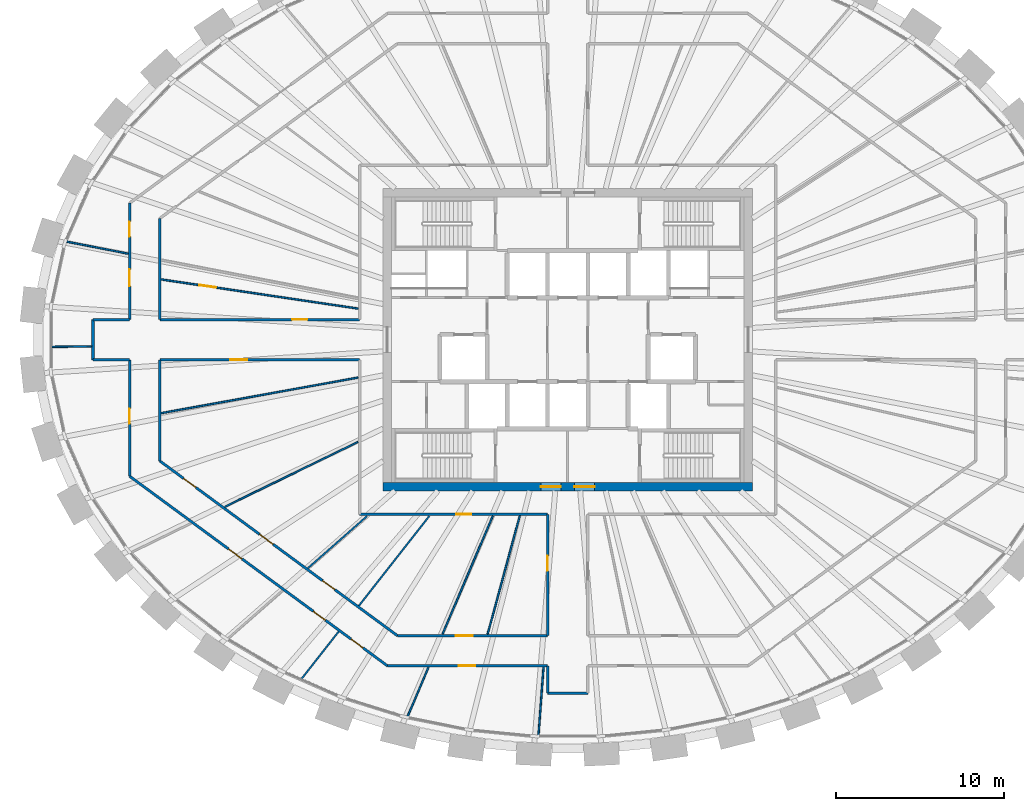
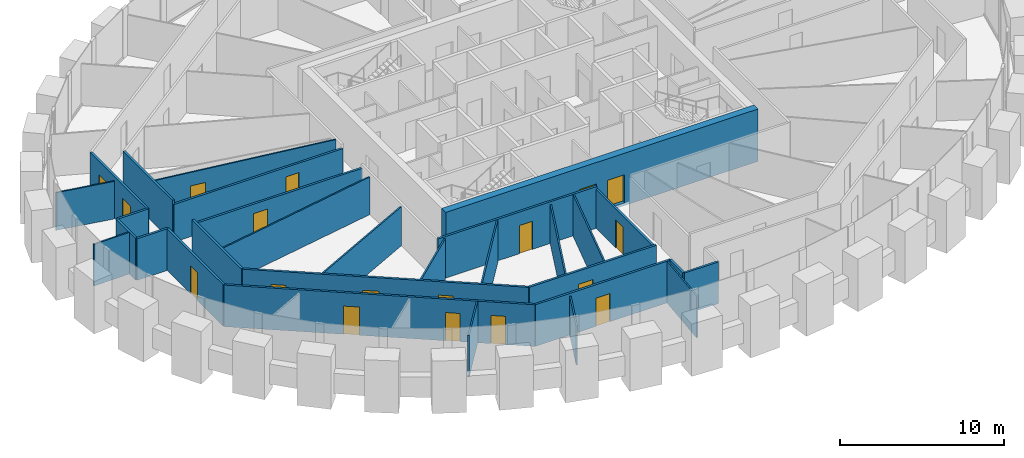
# One storey, part 6 of 12: 30 walls, 18 doors, 18 openings.
"""IFC4 building model written with IfcOpenShell, lengths in metres."""

from ifc_helpers import new_model, si_unit, direction, frame, frame_2d, origin, place, context, subcontext, project, spatial, rectangle, extrude, source, transform, mapped, material, layer, layer_set, type_object, element, fill, save


model = new_model("IFC4")

# Units and contexts
model_context = context("Model", 3, precision=1e-05, world=origin(), true_north=direction((0.0, 1.0)))
body_context = subcontext(model_context, "Body", "Model", "MODEL_VIEW")
ifc_project = project(units=[si_unit("LENGTHUNIT", "METRE"), si_unit("AREAUNIT", "SQUARE_METRE"), si_unit("VOLUMEUNIT", "CUBIC_METRE"), si_unit("PLANEANGLEUNIT", "RADIAN"), si_unit("MASSUNIT", "GRAM", prefix="KILO")], contexts=[model_context])

# Site, building, storey
site_placement = place(None, origin())
site = spatial("IfcSite", under=ifc_project, at=site_placement, CompositionType="ELEMENT")
building_placement = place(site_placement, origin())
building = spatial("IfcBuilding", under=site, at=building_placement, Name="Embergate Tower", CompositionType="ELEMENT")
storey_placement = place(building_placement, frame((0.0, 0.0, 281.199951171875)))
storey = spatial("IfcBuildingStorey", under=building, at=storey_placement, Name="L65", CompositionType="ELEMENT", Elevation=281.199951171875)

# Wall, openings, doors
ifc_material_1 = material(Name="Concrete C50", Category="concrete")
ifc_layer_1 = layer(ifc_material_1, 0.5)
ifc_layer_set_1 = layer_set([ifc_layer_1], Name="Concrete C50")
wall_type_1 = type_object("IfcWallType", Name="Core outer wall C50 500", PredefinedType="SHEAR", material=ifc_layer_set_1)
shared_shape_1 = source(origin(), body_context, "Body", "SweptSolid", [
    extrude(rectangle(XDim=22.0, YDim=0.5, at=frame_2d((11.0, 0.0))), origin(), (0.0, 0.0, 1.0), 3.89990234375),
])
wall_1_placement = place(storey_placement, frame((-11.0, -8.75, -0.199951171875), z_axis=(0.0, 0.0, 1.0), x_axis=(1.0, 0.0, 0.0)))
wall_1 = element("IfcWall", 1, at=wall_1_placement, inside=storey, type_object=wall_type_1, Name="CW-L65-S", PredefinedType="SHEAR", context=body_context, shape_type="MappedRepresentation", body=[
    mapped(shared_shape_1, transform((0.0, 0.0, 0.0))),
])
shared_shape_2 = source(origin(), body_context, "Body", "SweptSolid", [
    extrude(rectangle(XDim=1.199951171875, YDim=2.10009765625, at=frame_2d((0.60009765625, 1.050048828125))), frame((0.0, 0.260009765625, 0.0), z_axis=(0.0, -1.0, 0.0), x_axis=(1.0, 0.0, 0.0)), (0.0, 0.0, 1.0), 0.52001953125),
])
opening_1_placement = place(wall_1_placement, frame((9.39990234375, 0.0, 0.199951171875)))
opening_1 = element("IfcOpeningElement", 2, at=opening_1_placement, cuts=wall_1, Name="Opening IF-1", PredefinedType="OPENING", context=body_context, shape_type="MappedRepresentation", body=[
    mapped(shared_shape_2, transform((0.0, 0.0, 0.0))),
])
opening_2_placement = place(wall_1_placement, frame((11.39990234375, 0.0, 0.199951171875)))
opening_2 = element("IfcOpeningElement", 3, at=opening_2_placement, cuts=wall_1, Name="Opening IF-1", PredefinedType="OPENING", context=body_context, shape_type="MappedRepresentation", body=[
    mapped(shared_shape_2, transform((0.0, 0.0, 0.0))),
])
ifc_material_2 = material(Name="Escape fire door 1200")
door_type_1 = type_object("IfcDoorType", Name="Escape fire door 1200", OperationType="SINGLE_SWING_LEFT", PredefinedType="DOOR", material=ifc_material_2)
shared_shape_3 = source(origin(), body_context, "Body", "SweptSolid", [
    extrude(rectangle(XDim=1.199951171875, YDim=2.10009765625, at=frame_2d((0.60009765625, 1.050048828125))), frame((0.0, 0.02490234375, 0.0), z_axis=(0.0, -1.0, 0.0), x_axis=(1.0, 0.0, 0.0)), (0.0, 0.0, 1.0), 0.050048828125),
])
door_1_placement = place(opening_1_placement, origin())
door_1 = element("IfcDoor", 4, at=door_1_placement, inside=storey, type_object=door_type_1, Name="IF-1 door", OperationType="SINGLE_SWING_RIGHT", OverallHeight=2.10009765625, OverallWidth=1.199951171875, PredefinedType="DOOR", context=body_context, shape_type="MappedRepresentation", body=[
    mapped(shared_shape_3, transform((0.0, 0.0, 0.0))),
])
fill(opening_1, door_1)
door_2_placement = place(opening_2_placement, origin())
door_2 = element("IfcDoor", 5, at=door_2_placement, inside=storey, type_object=door_type_1, Name="IF-1 door", OperationType="SINGLE_SWING_LEFT", OverallHeight=2.10009765625, OverallWidth=1.199951171875, PredefinedType="DOOR", context=body_context, shape_type="MappedRepresentation", body=[
    mapped(shared_shape_3, transform((0.0, 0.0, 0.0))),
])
fill(opening_2, door_2)

# Wall, opening, door
ifc_material_3 = material(Name="Corridor wall dry-lined 150")
ifc_layer_2 = layer(ifc_material_3, 0.14990234375)
ifc_layer_set_2 = layer_set([ifc_layer_2], Name="Corridor wall dry-lined 150")
wall_type_2 = type_object("IfcWallType", Name="Corridor wall dry-lined 150", PredefinedType="PARTITIONING", material=ifc_layer_set_2)
shared_shape_4 = source(origin(), body_context, "Body", "SweptSolid", [
    extrude(rectangle(XDim=11.199951171875, YDim=0.14990234375, at=frame_2d((5.60009765625, 0.0))), origin(), (0.0, 0.0, 1.0), 3.10009765625),
])
wall_2_placement = place(storey_placement, frame((-12.39990234375, -10.39990234375, 0.0), z_axis=(0.0, 0.0, 1.0), x_axis=(1.0, 0.0, 0.0)))
wall_2 = element("IfcWall", 6, at=wall_2_placement, inside=storey, type_object=wall_type_2, Name="IP-2 wall", PredefinedType="PARTITIONING", context=body_context, shape_type="MappedRepresentation", body=[
    mapped(shared_shape_4, transform((0.0, 0.0, 0.0))),
])
shared_shape_5 = source(origin(), body_context, "Body", "SweptSolid", [
    extrude(rectangle(XDim=0.89990234375, YDim=2.10009765625, at=frame_2d((0.449951171875, 1.050048828125))), frame((0.0, 0.0849609375, 0.0), z_axis=(0.0, -1.0, 0.0), x_axis=(1.0, 0.0, 0.0)), (0.0, 0.0, 1.0), 0.169921875),
])
opening_3_placement = place(wall_2_placement, frame((5.7490234375, 0.0, 0.0)))
opening_3 = element("IfcOpeningElement", 7, at=opening_3_placement, cuts=wall_2, Name="Opening IF-1c", PredefinedType="OPENING", context=body_context, shape_type="MappedRepresentation", body=[
    mapped(shared_shape_5, transform((0.0, 0.0, 0.0))),
])
ifc_material_4 = material(Name="Escape fire door 900")
door_type_2 = type_object("IfcDoorType", Name="Escape fire door 900", OperationType="SINGLE_SWING_LEFT", PredefinedType="DOOR", material=ifc_material_4)
shared_shape_6 = source(origin(), body_context, "Body", "SweptSolid", [
    extrude(rectangle(XDim=0.89990234375, YDim=2.10009765625, at=frame_2d((0.449951171875, 1.050048828125))), frame((0.0, 0.02490234375, 0.0), z_axis=(0.0, -1.0, 0.0), x_axis=(1.0, 0.0, 0.0)), (0.0, 0.0, 1.0), 0.050048828125),
])
door_3_placement = place(opening_3_placement, origin())
door_3 = element("IfcDoor", 8, at=door_3_placement, inside=storey, type_object=door_type_2, Name="IF-1 door", OperationType="SINGLE_SWING_LEFT", OverallHeight=2.10009765625, OverallWidth=0.89990234375, PredefinedType="DOOR", context=body_context, shape_type="MappedRepresentation", body=[
    mapped(shared_shape_6, transform((0.0, 0.0, 0.0))),
])
fill(opening_3, door_3)

# Walls
shared_shape_7 = source(origin(), body_context, "Body", "SweptSolid", [
    extrude(rectangle(XDim=2.39990234375, YDim=0.14990234375, at=frame_2d((1.199951171875, 0.0))), origin(), (0.0, 0.0, 1.0), 3.10009765625),
])
for number, where, z_axis, x_axis, name in (
    (9, (1.199951171875, -21.055908203125, 0.0), (0.0, 0.0, 1.0), (-1.0, 0.0, 0.0), "IP-2 wall"),
    (10, (-28.27294921875, -1.199951171875, 0.0), (0.0, 0.0, 1.0), (0.0, 1.0, 0.0), "IP-2 wall"),
):
    element("IfcWall", number, at=place(storey_placement, frame(where, z_axis=z_axis, x_axis=x_axis)), inside=storey, type_object=wall_type_2, Name=name, PredefinedType="PARTITIONING", context=body_context, shape_type="MappedRepresentation", body=[
        mapped(shared_shape_7, transform((0.0, 0.0, 0.0))),
    ])
ifc_material_5 = material(Name="Partition dry-lined 100")
ifc_layer_3 = layer(ifc_material_5, 0.10009765625)
ifc_layer_set_3 = layer_set([ifc_layer_3], Name="Partition dry-lined 100")
wall_type_3 = type_object("IfcWallType", Name="Partition dry-lined 100", PredefinedType="PARTITIONING", material=ifc_layer_set_3)
shared_shape_8 = source(origin(), body_context, "Body", "SweptSolid", [
    extrude(rectangle(XDim=2.513427734375, YDim=0.10009765625, at=frame_2d((1.2568359375, 0.0))), origin(), (0.0, 0.0, 1.0), 3.10009765625),
])
wall_3_placement = place(storey_placement, frame((-28.347900390625, -0.39599609375, 0.0), z_axis=(0.0, 0.0, 1.0), x_axis=(-0.999903525863, -0.013890247154, 0.0)))
element("IfcWall", 11, at=wall_3_placement, inside=storey, type_object=wall_type_3, Name="IP-1 wall", PredefinedType="PARTITIONING", context=body_context, shape_type="MappedRepresentation", body=[
    mapped(shared_shape_8, transform((0.0, 0.0, 0.0))),
])

# Wall, openings, doors
shared_shape_9 = source(origin(), body_context, "Body", "SweptSolid", [
    extrude(rectangle(XDim=19.072265625, YDim=0.14990234375, at=frame_2d((9.5361328125, 0.0))), origin(), (0.0, 0.0, 1.0), 3.10009765625),
])
wall_4_placement = place(storey_placement, frame((-26.096923828125, -8.1298828125, 0.0), z_axis=(0.0, 0.0, 1.0), x_axis=(0.805618847725, -0.592434192287, 0.0)))
wall_4 = element("IfcWall", 12, at=wall_4_placement, inside=storey, type_object=wall_type_2, Name="IP-2 wall", PredefinedType="PARTITIONING", context=body_context, shape_type="MappedRepresentation", body=[
    mapped(shared_shape_9, transform((0.0, 0.0, 0.0))),
])
shared_shape_10 = source(origin(), body_context, "Body", "SweptSolid", [
    extrude(rectangle(XDim=1.0, YDim=2.10009765625, at=frame_2d((0.5, 1.050048828125))), frame((0.0, 0.0849609375, 0.0), z_axis=(0.0, -1.0, 0.0), x_axis=(1.0, 0.0, 0.0)), (0.0, 0.0, 1.0), 0.169921875),
])
opening_4_placement = place(wall_4_placement, frame((7.31982421875, 0.0, 0.0)))
opening_4 = element("IfcOpeningElement", 13, at=opening_4_placement, cuts=wall_4, Name="Opening ID-2", PredefinedType="OPENING", context=body_context, shape_type="MappedRepresentation", body=[
    mapped(shared_shape_10, transform((0.0, 0.0, 0.0))),
])
opening_5_placement = place(wall_4_placement, frame((13.583984375, 0.0, 0.0)))
opening_5 = element("IfcOpeningElement", 14, at=opening_5_placement, cuts=wall_4, Name="Opening IF-1c", PredefinedType="OPENING", context=body_context, shape_type="MappedRepresentation", body=[
    mapped(shared_shape_5, transform((0.0, 0.0, 0.0))),
])
opening_6_placement = place(wall_4_placement, frame((16.373046875, 0.0, 0.0)))
opening_6 = element("IfcOpeningElement", 15, at=opening_6_placement, cuts=wall_4, Name="Opening IF-1c", PredefinedType="OPENING", context=body_context, shape_type="MappedRepresentation", body=[
    mapped(shared_shape_5, transform((0.0, 0.0, 0.0))),
])
door_4_placement = place(opening_5_placement, origin())
door_4 = element("IfcDoor", 16, at=door_4_placement, inside=storey, type_object=door_type_2, Name="IF-1 door", OperationType="SINGLE_SWING_RIGHT", OverallHeight=2.10009765625, OverallWidth=0.89990234375, PredefinedType="DOOR", context=body_context, shape_type="MappedRepresentation", body=[
    mapped(shared_shape_6, transform((0.0, 0.0, 0.0))),
])
fill(opening_5, door_4)
door_5_placement = place(opening_6_placement, origin())
door_5 = element("IfcDoor", 17, at=door_5_placement, inside=storey, type_object=door_type_2, Name="IF-1 door", OperationType="SINGLE_SWING_LEFT", OverallHeight=2.10009765625, OverallWidth=0.89990234375, PredefinedType="DOOR", context=body_context, shape_type="MappedRepresentation", body=[
    mapped(shared_shape_6, transform((0.0, 0.0, 0.0))),
])
fill(opening_6, door_5)
ifc_material_6 = material(Name="Interior door 1000")
door_type_3 = type_object("IfcDoorType", Name="Interior door 1000", OperationType="SINGLE_SWING_LEFT", PredefinedType="DOOR", material=ifc_material_6)
shared_shape_11 = source(origin(), body_context, "Body", "SweptSolid", [
    extrude(rectangle(XDim=1.0, YDim=2.10009765625, at=frame_2d((0.5, 1.050048828125))), frame((0.0, 0.02490234375, 0.0), z_axis=(0.0, -1.0, 0.0), x_axis=(1.0, 0.0, 0.0)), (0.0, 0.0, 1.0), 0.050048828125),
])
door_6_placement = place(opening_4_placement, origin())
door_6 = element("IfcDoor", 18, at=door_6_placement, inside=storey, type_object=door_type_3, Name="ID-2 door", OperationType="SINGLE_SWING_RIGHT", OverallHeight=2.10009765625, OverallWidth=1.0, PredefinedType="DOOR", context=body_context, shape_type="MappedRepresentation", body=[
    mapped(shared_shape_11, transform((0.0, 0.0, 0.0))),
])
fill(opening_4, door_6)

# Wall, opening, door
shared_shape_12 = source(origin(), body_context, "Body", "SweptSolid", [
    extrude(rectangle(XDim=9.531982421875, YDim=0.14990234375, at=frame_2d((4.76611328125, 0.0))), origin(), (0.0, 0.0, 1.0), 3.10009765625),
])
wall_5_placement = place(storey_placement, frame((-1.199951171875, -19.428955078125, 0.0), z_axis=(0.0, 0.0, 1.0), x_axis=(-1.0, 0.0, 0.0)))
wall_5 = element("IfcWall", 19, at=wall_5_placement, inside=storey, type_object=wall_type_2, Name="IP-2 wall", PredefinedType="PARTITIONING", context=body_context, shape_type="MappedRepresentation", body=[
    mapped(shared_shape_12, transform((0.0, 0.0, 0.0))),
])
opening_7_placement = place(wall_5_placement, frame((4.294921875, 0.0, 0.0)))
opening_7 = element("IfcOpeningElement", 20, at=opening_7_placement, cuts=wall_5, Name="Opening ID-2", PredefinedType="OPENING", context=body_context, shape_type="MappedRepresentation", body=[
    mapped(shared_shape_10, transform((0.0, 0.0, 0.0))),
])
door_7_placement = place(opening_7_placement, origin())
door_7 = element("IfcDoor", 21, at=door_7_placement, inside=storey, type_object=door_type_3, Name="ID-2 door", OperationType="SINGLE_SWING_RIGHT", OverallHeight=2.10009765625, OverallWidth=1.0, PredefinedType="DOOR", context=body_context, shape_type="MappedRepresentation", body=[
    mapped(shared_shape_11, transform((0.0, 0.0, 0.0))),
])
fill(opening_7, door_7)

# Wall, openings, doors
shared_shape_13 = source(origin(), body_context, "Body", "SweptSolid", [
    extrude(rectangle(XDim=17.570068359375, YDim=0.14990234375, at=frame_2d((8.78515625, 0.0))), origin(), (0.0, 0.0, 1.0), 3.10009765625),
])
wall_6_placement = place(storey_placement, frame((-10.14208984375, -17.62890625, 0.0), z_axis=(0.0, 0.0, 1.0), x_axis=(-0.805628581617, 0.592420955471, 0.0)))
wall_6 = element("IfcWall", 22, at=wall_6_placement, inside=storey, type_object=wall_type_2, Name="IP-2 wall", PredefinedType="PARTITIONING", context=body_context, shape_type="MappedRepresentation", body=[
    mapped(shared_shape_13, transform((0.0, 0.0, 0.0))),
])
opening_8_placement = place(wall_6_placement, frame((9.194580078125, 0.0, 0.0)))
opening_8 = element("IfcOpeningElement", 23, at=opening_8_placement, cuts=wall_6, Name="Opening ID-2", PredefinedType="OPENING", context=body_context, shape_type="MappedRepresentation", body=[
    mapped(shared_shape_10, transform((0.0, 0.0, 0.0))),
])
opening_9_placement = place(wall_6_placement, frame((4.626953125, 0.0, 0.0)))
opening_9 = element("IfcOpeningElement", 24, at=opening_9_placement, cuts=wall_6, Name="Opening IF-1c", PredefinedType="OPENING", context=body_context, shape_type="MappedRepresentation", body=[
    mapped(shared_shape_5, transform((0.0, 0.0, 0.0))),
])
opening_10_placement = place(wall_6_placement, frame((14.901123046875, 0.0, 0.0)))
opening_10 = element("IfcOpeningElement", 25, at=opening_10_placement, cuts=wall_6, Name="Opening IF-1c", PredefinedType="OPENING", context=body_context, shape_type="MappedRepresentation", body=[
    mapped(shared_shape_5, transform((0.0, 0.0, 0.0))),
])
door_8_placement = place(opening_9_placement, origin())
door_8 = element("IfcDoor", 26, at=door_8_placement, inside=storey, type_object=door_type_2, Name="IF-1 door", OperationType="SINGLE_SWING_LEFT", OverallHeight=2.10009765625, OverallWidth=0.89990234375, PredefinedType="DOOR", context=body_context, shape_type="MappedRepresentation", body=[
    mapped(shared_shape_6, transform((0.0, 0.0, 0.0))),
])
fill(opening_9, door_8)
door_9_placement = place(opening_10_placement, origin())
door_9 = element("IfcDoor", 27, at=door_9_placement, inside=storey, type_object=door_type_2, Name="IF-1 door", OperationType="SINGLE_SWING_LEFT", OverallHeight=2.10009765625, OverallWidth=0.89990234375, PredefinedType="DOOR", context=body_context, shape_type="MappedRepresentation", body=[
    mapped(shared_shape_6, transform((0.0, 0.0, 0.0))),
])
fill(opening_10, door_9)
door_10_placement = place(opening_8_placement, origin())
door_10 = element("IfcDoor", 28, at=door_10_placement, inside=storey, type_object=door_type_3, Name="ID-2 door", OperationType="SINGLE_SWING_LEFT", OverallHeight=2.10009765625, OverallWidth=1.0, PredefinedType="DOOR", context=body_context, shape_type="MappedRepresentation", body=[
    mapped(shared_shape_11, transform((0.0, 0.0, 0.0))),
])
fill(opening_8, door_10)

# Wall, opening, door
shared_shape_14 = source(origin(), body_context, "Body", "SweptSolid", [
    extrude(rectangle(XDim=8.942138671875, YDim=0.14990234375, at=frame_2d((4.47119140625, 0.0))), origin(), (0.0, 0.0, 1.0), 3.10009765625),
])
wall_7_placement = place(storey_placement, frame((-10.14208984375, -17.62890625, 0.0), z_axis=(0.0, 0.0, 1.0), x_axis=(1.0, 0.0, 0.0)))
wall_7 = element("IfcWall", 29, at=wall_7_placement, inside=storey, type_object=wall_type_2, Name="IP-2 wall", PredefinedType="PARTITIONING", context=body_context, shape_type="MappedRepresentation", body=[
    mapped(shared_shape_14, transform((0.0, 0.0, 0.0))),
])
opening_11_placement = place(wall_7_placement, frame((3.4765625, 0.0, 0.0)))
opening_11 = element("IfcOpeningElement", 30, at=opening_11_placement, cuts=wall_7, Name="Opening ID-2", PredefinedType="OPENING", context=body_context, shape_type="MappedRepresentation", body=[
    mapped(shared_shape_10, transform((0.0, 0.0, 0.0))),
])
door_11_placement = place(opening_11_placement, origin())
door_11 = element("IfcDoor", 31, at=door_11_placement, inside=storey, type_object=door_type_3, Name="ID-2 door", OperationType="SINGLE_SWING_LEFT", OverallHeight=2.10009765625, OverallWidth=1.0, PredefinedType="DOOR", context=body_context, shape_type="MappedRepresentation", body=[
    mapped(shared_shape_11, transform((0.0, 0.0, 0.0))),
])
fill(opening_11, door_11)

# Wall
shared_shape_15 = source(origin(), body_context, "Body", "SweptSolid", [
    extrude(rectangle(XDim=1.626953125, YDim=0.14990234375, at=frame_2d((0.8134765625, 0.0))), origin(), (0.0, 0.0, 1.0), 3.10009765625),
])
wall_8_placement = place(storey_placement, frame((-1.199951171875, -21.055908203125, 0.0), z_axis=(0.0, 0.0, 1.0), x_axis=(0.0, 1.0, 0.0)))
element("IfcWall", 32, at=wall_8_placement, inside=storey, type_object=wall_type_2, Name="IP-2 wall", PredefinedType="PARTITIONING", context=body_context, shape_type="MappedRepresentation", body=[
    mapped(shared_shape_15, transform((0.0, 0.0, 0.0))),
])

# Wall, opening, door
shared_shape_16 = source(origin(), body_context, "Body", "SweptSolid", [
    extrude(rectangle(XDim=7.22900390625, YDim=0.14990234375, at=frame_2d((3.614501953125, 0.0))), origin(), (0.0, 0.0, 1.0), 2.900146484375),
])
wall_9_placement = place(storey_placement, frame((-1.199951171875, -17.62890625, 0.0), z_axis=(0.0, 0.0, 1.0), x_axis=(0.0, 1.0, 0.0)))
wall_9 = element("IfcWall", 33, at=wall_9_placement, inside=storey, type_object=wall_type_2, Name="IP-2 wall", PredefinedType="PARTITIONING", context=body_context, shape_type="MappedRepresentation", body=[
    mapped(shared_shape_16, transform((0.0, 0.0, 0.0))),
])
opening_12_placement = place(wall_9_placement, frame((3.852294921875, 0.0, 0.0)))
opening_12 = element("IfcOpeningElement", 34, at=opening_12_placement, cuts=wall_9, Name="Opening IF-1c", PredefinedType="OPENING", context=body_context, shape_type="MappedRepresentation", body=[
    mapped(shared_shape_5, transform((0.0, 0.0, 0.0))),
])
door_12_placement = place(opening_12_placement, origin())
door_12 = element("IfcDoor", 35, at=door_12_placement, inside=storey, type_object=door_type_2, Name="IF-1 door", OperationType="SINGLE_SWING_LEFT", OverallHeight=2.10009765625, OverallWidth=0.89990234375, PredefinedType="DOOR", context=body_context, shape_type="MappedRepresentation", body=[
    mapped(shared_shape_6, transform((0.0, 0.0, 0.0))),
])
fill(opening_12, door_12)

# Wall, openings, doors
shared_shape_17 = source(origin(), body_context, "Body", "SweptSolid", [
    extrude(rectangle(XDim=6.929931640625, YDim=0.14990234375, at=frame_2d((3.46484375, 0.0))), origin(), (0.0, 0.0, 1.0), 3.10009765625),
])
wall_10_placement = place(storey_placement, frame((-26.096923828125, 1.199951171875, 0.0), z_axis=(0.0, 0.0, 1.0), x_axis=(0.0, 1.0, 0.0)))
wall_10 = element("IfcWall", 36, at=wall_10_placement, inside=storey, type_object=wall_type_2, Name="IP-2 wall", PredefinedType="PARTITIONING", context=body_context, shape_type="MappedRepresentation", body=[
    mapped(shared_shape_17, transform((0.0, 0.0, 0.0))),
])
opening_13_placement = place(wall_10_placement, frame((4.93798828125, 0.0, 0.0)))
opening_13 = element("IfcOpeningElement", 37, at=opening_13_placement, cuts=wall_10, Name="Opening IF-1c", PredefinedType="OPENING", context=body_context, shape_type="MappedRepresentation", body=[
    mapped(shared_shape_5, transform((0.0, 0.0, 0.0))),
])
opening_14_placement = place(wall_10_placement, frame((1.98388671875, 0.0, 0.0)))
opening_14 = element("IfcOpeningElement", 38, at=opening_14_placement, cuts=wall_10, Name="Opening ID-2", PredefinedType="OPENING", context=body_context, shape_type="MappedRepresentation", body=[
    mapped(shared_shape_10, transform((0.0, 0.0, 0.0))),
])
door_13_placement = place(opening_13_placement, origin())
door_13 = element("IfcDoor", 39, at=door_13_placement, inside=storey, type_object=door_type_2, Name="IF-1 door", OperationType="SINGLE_SWING_RIGHT", OverallHeight=2.10009765625, OverallWidth=0.89990234375, PredefinedType="DOOR", context=body_context, shape_type="MappedRepresentation", body=[
    mapped(shared_shape_6, transform((0.0, 0.0, 0.0))),
])
fill(opening_13, door_13)
door_14_placement = place(opening_14_placement, origin())
door_14 = element("IfcDoor", 40, at=door_14_placement, inside=storey, type_object=door_type_3, Name="ID-2 door", OperationType="SINGLE_SWING_LEFT", OverallHeight=2.10009765625, OverallWidth=1.0, PredefinedType="DOOR", context=body_context, shape_type="MappedRepresentation", body=[
    mapped(shared_shape_11, transform((0.0, 0.0, 0.0))),
])
fill(opening_14, door_14)

# Wall, opening, door
wall_11_placement = place(storey_placement, frame((-26.096923828125, -1.199951171875, 0.0), z_axis=(0.0, 0.0, 1.0), x_axis=(0.0, -1.0, 0.0)))
wall_11 = element("IfcWall", 41, at=wall_11_placement, inside=storey, type_object=wall_type_2, Name="IP-2 wall", PredefinedType="PARTITIONING", context=body_context, shape_type="MappedRepresentation", body=[
    mapped(shared_shape_17, transform((0.0, 0.0, 0.0))),
])
opening_15_placement = place(wall_11_placement, frame((2.906982421875, 0.0, 0.0)))
opening_15 = element("IfcOpeningElement", 42, at=opening_15_placement, cuts=wall_11, Name="Opening IF-1c", PredefinedType="OPENING", context=body_context, shape_type="MappedRepresentation", body=[
    mapped(shared_shape_5, transform((0.0, 0.0, 0.0))),
])
door_15_placement = place(opening_15_placement, origin())
door_15 = element("IfcDoor", 43, at=door_15_placement, inside=storey, type_object=door_type_2, Name="IF-1 door", OperationType="SINGLE_SWING_LEFT", OverallHeight=2.10009765625, OverallWidth=0.89990234375, PredefinedType="DOOR", context=body_context, shape_type="MappedRepresentation", body=[
    mapped(shared_shape_6, transform((0.0, 0.0, 0.0))),
])
fill(opening_15, door_15)

# Walls
shared_shape_18 = source(origin(), body_context, "Body", "SweptSolid", [
    extrude(rectangle(XDim=2.176025390625, YDim=0.14990234375, at=frame_2d((1.087890625, 0.0))), origin(), (0.0, 0.0, 1.0), 3.10009765625),
])
for number, where, z_axis, x_axis, name in (
    (44, (-28.27294921875, 1.199951171875, 0.0), (0.0, 0.0, 1.0), (1.0, 0.0, 0.0), "IP-2 wall"),
    (45, (-28.27294921875, -1.199951171875, 0.0), (0.0, 0.0, 1.0), (1.0, 0.0, 0.0), "IP-2 wall"),
):
    element("IfcWall", number, at=place(storey_placement, frame(where, z_axis=z_axis, x_axis=x_axis)), inside=storey, type_object=wall_type_2, Name=name, PredefinedType="PARTITIONING", context=body_context, shape_type="MappedRepresentation", body=[
        mapped(shared_shape_18, transform((0.0, 0.0, 0.0))),
    ])
shared_shape_19 = source(origin(), body_context, "Body", "SweptSolid", [
    extrude(rectangle(XDim=6.02001953125, YDim=0.14990234375, at=frame_2d((3.010009765625, 0.0))), origin(), (0.0, 0.0, 1.0), 3.10009765625),
])
for number, where, z_axis, x_axis, name in (
    (46, (-24.297119140625, 1.199951171875, 0.0), (0.0, 0.0, 1.0), (0.0, 1.0, 0.0), "IP-2 wall"),
    (47, (-24.297119140625, -1.199951171875, 0.0), (0.0, 0.0, 1.0), (0.0, -1.0, 0.0), "IP-2 wall"),
):
    element("IfcWall", number, at=place(storey_placement, frame(where, z_axis=z_axis, x_axis=x_axis)), inside=storey, type_object=wall_type_2, Name=name, PredefinedType="PARTITIONING", context=body_context, shape_type="MappedRepresentation", body=[
        mapped(shared_shape_19, transform((0.0, 0.0, 0.0))),
    ])

# Wall, opening, door
shared_shape_20 = source(origin(), body_context, "Body", "SweptSolid", [
    extrude(rectangle(XDim=11.897216796875, YDim=0.14990234375, at=frame_2d((5.94873046875, 0.0))), origin(), (0.0, 0.0, 1.0), 2.800048828125),
])
wall_12_placement = place(storey_placement, frame((-12.39990234375, -1.199951171875, 0.0), z_axis=(0.0, 0.0, 1.0), x_axis=(-1.0, 0.0, 0.0)))
wall_12 = element("IfcWall", 48, at=wall_12_placement, inside=storey, type_object=wall_type_2, Name="IP-2 wall", PredefinedType="PARTITIONING", context=body_context, shape_type="MappedRepresentation", body=[
    mapped(shared_shape_20, transform((0.0, 0.0, 0.0))),
])
opening_16_placement = place(wall_12_placement, frame((6.68408203125, 0.0, 0.0)))
opening_16 = element("IfcOpeningElement", 49, at=opening_16_placement, cuts=wall_12, Name="Opening ID-2", PredefinedType="OPENING", context=body_context, shape_type="MappedRepresentation", body=[
    mapped(shared_shape_10, transform((0.0, 0.0, 0.0))),
])
door_16_placement = place(opening_16_placement, origin())
door_16 = element("IfcDoor", 50, at=door_16_placement, inside=storey, type_object=door_type_3, Name="ID-2 door", OperationType="SINGLE_SWING_LEFT", OverallHeight=2.10009765625, OverallWidth=1.0, PredefinedType="DOOR", context=body_context, shape_type="MappedRepresentation", body=[
    mapped(shared_shape_11, transform((0.0, 0.0, 0.0))),
])
fill(opening_16, door_16)

wall_13_placement = place(storey_placement, frame((-24.297119140625, 1.199951171875, 0.0), z_axis=(0.0, 0.0, 1.0), x_axis=(1.0, 0.0, 0.0)))
wall_13 = element("IfcWall", 51, at=wall_13_placement, inside=storey, type_object=wall_type_2, Name="IP-2 wall", PredefinedType="PARTITIONING", context=body_context, shape_type="MappedRepresentation", body=[
    mapped(shared_shape_20, transform((0.0, 0.0, 0.0))),
])
opening_17_placement = place(wall_13_placement, frame((7.889892578125, 0.0, 0.0)))
opening_17 = element("IfcOpeningElement", 52, at=opening_17_placement, cuts=wall_13, Name="Opening IF-1c", PredefinedType="OPENING", context=body_context, shape_type="MappedRepresentation", body=[
    mapped(shared_shape_5, transform((0.0, 0.0, 0.0))),
])
door_17_placement = place(opening_17_placement, origin())
door_17 = element("IfcDoor", 53, at=door_17_placement, inside=storey, type_object=door_type_2, Name="IF-1 door", OperationType="SINGLE_SWING_RIGHT", OverallHeight=2.10009765625, OverallWidth=0.89990234375, PredefinedType="DOOR", context=body_context, shape_type="MappedRepresentation", body=[
    mapped(shared_shape_6, transform((0.0, 0.0, 0.0))),
])
fill(opening_17, door_17)

# Walls
shared_shape_21 = source(origin(), body_context, "Body", "SweptSolid", [
    extrude(rectangle(XDim=3.670654296875, YDim=0.10009765625, at=frame_2d((1.83544921875, 0.0))), origin(), (0.0, 0.0, 1.0), 3.10009765625),
])
wall_14_placement = place(storey_placement, frame((-13.64208984375, -17.383056640625, 0.0), z_axis=(0.0, 0.0, 1.0), x_axis=(-0.617277995777, -0.786745114971, 0.0)))
element("IfcWall", 54, at=wall_14_placement, inside=storey, type_object=wall_type_3, Name="IP-1 wall", PredefinedType="PARTITIONING", context=body_context, shape_type="MappedRepresentation", body=[
    mapped(shared_shape_21, transform((0.0, 0.0, 0.0))),
])
shared_shape_22 = source(origin(), body_context, "Body", "SweptSolid", [
    extrude(rectangle(XDim=3.222412109375, YDim=0.10009765625, at=frame_2d((1.611328125, 0.0))), origin(), (0.0, 0.0, 1.0), 2.900146484375),
])
wall_15_placement = place(storey_placement, frame((-8.297119140625, -19.52392578125, 0.0), z_axis=(0.0, 0.0, 1.0), x_axis=(-0.390927263481, -0.920421574425, 0.0)))
element("IfcWall", 55, at=wall_15_placement, inside=storey, type_object=wall_type_3, Name="IP-1 wall", PredefinedType="PARTITIONING", context=body_context, shape_type="MappedRepresentation", body=[
    mapped(shared_shape_22, transform((0.0, 0.0, 0.0))),
])
shared_shape_23 = source(origin(), body_context, "Body", "SweptSolid", [
    extrude(rectangle(XDim=4.682861328125, YDim=0.10009765625, at=frame_2d((2.34130859375, 0.0))), origin(), (0.0, 0.0, 1.0), 3.0),
])
wall_16_placement = place(storey_placement, frame((-11.9541015625, -10.511962890625, 0.0), z_axis=(0.0, 0.0, 1.0), x_axis=(-0.750813831722, -0.660513883347, 0.0)))
element("IfcWall", 56, at=wall_16_placement, inside=storey, type_object=wall_type_3, Name="IP-1 wall", PredefinedType="PARTITIONING", context=body_context, shape_type="MappedRepresentation", body=[
    mapped(shared_shape_23, transform((0.0, 0.0, 0.0))),
])
shared_shape_24 = source(origin(), body_context, "Body", "SweptSolid", [
    extrude(rectangle(XDim=8.8095703125, YDim=0.10009765625, at=frame_2d((4.40478515625, 0.0))), origin(), (0.0, 0.0, 1.0), 2.900146484375),
])
wall_17_placement = place(storey_placement, frame((-12.4970703125, -6.092041015625, 0.0), z_axis=(0.0, 0.0, 1.0), x_axis=(-0.898904238301, -0.438145147599, 0.0)))
element("IfcWall", 57, at=wall_17_placement, inside=storey, type_object=wall_type_3, Name="IP-1 wall", PredefinedType="PARTITIONING", context=body_context, shape_type="MappedRepresentation", body=[
    mapped(shared_shape_24, transform((0.0, 0.0, 0.0))),
])
shared_shape_25 = source(origin(), body_context, "Body", "SweptSolid", [
    extrude(rectangle(XDim=6.790283203125, YDim=0.10009765625, at=frame_2d((3.39501953125, 0.0))), origin(), (0.0, 0.0, 1.0), 3.10009765625),
])
wall_18_placement = place(storey_placement, frame((-8.2451171875, -10.506103515625, 0.0), z_axis=(0.0, 0.0, 1.0), x_axis=(-0.617345064922, -0.786692488089, 0.0)))
element("IfcWall", 58, at=wall_18_placement, inside=storey, type_object=wall_type_3, Name="IP-1 wall", PredefinedType="PARTITIONING", context=body_context, shape_type="MappedRepresentation", body=[
    mapped(shared_shape_25, transform((0.0, 0.0, 0.0))),
])
shared_shape_26 = source(origin(), body_context, "Body", "SweptSolid", [
    extrude(rectangle(XDim=7.649169921875, YDim=0.10009765625, at=frame_2d((3.82470703125, 0.0))), origin(), (0.0, 0.0, 1.0), 2.900146484375),
])
wall_19_placement = place(storey_placement, frame((-4.4599609375, -10.4951171875, 0.0), z_axis=(0.0, 0.0, 1.0), x_axis=(-0.391144019601, -0.920329482267, 0.0)))
element("IfcWall", 59, at=wall_19_placement, inside=storey, type_object=wall_type_3, Name="IP-1 wall", PredefinedType="PARTITIONING", context=body_context, shape_type="MappedRepresentation", body=[
    mapped(shared_shape_26, transform((0.0, 0.0, 0.0))),
])
shared_shape_27 = source(origin(), body_context, "Body", "SweptSolid", [
    extrude(rectangle(XDim=4.122314453125, YDim=0.10009765625, at=frame_2d((2.06103515625, 0.0))), origin(), (0.0, 0.0, 1.0), 3.10009765625),
])
wall_20_placement = place(storey_placement, frame((-1.44091796875, -19.50390625, 0.0), z_axis=(0.0, 0.0, 1.0), x_axis=(-0.073498633492, -0.997295317784, 0.0)))
element("IfcWall", 60, at=wall_20_placement, inside=storey, type_object=wall_type_3, Name="IP-1 wall", PredefinedType="PARTITIONING", context=body_context, shape_type="MappedRepresentation", body=[
    mapped(shared_shape_27, transform((0.0, 0.0, 0.0))),
])
shared_shape_28 = source(origin(), body_context, "Body", "SweptSolid", [
    extrude(rectangle(XDim=7.30908203125, YDim=0.10009765625, at=frame_2d((3.654541015625, 0.0))), origin(), (0.0, 0.0, 1.0), 3.10009765625),
])
wall_21_placement = place(storey_placement, frame((-2.85205078125, -10.488037109375, 0.0), z_axis=(0.0, 0.0, 1.0), x_axis=(-0.262407922671, -0.964957036411, 0.0)))
element("IfcWall", 61, at=wall_21_placement, inside=storey, type_object=wall_type_3, Name="IP-1 wall", PredefinedType="PARTITIONING", context=body_context, shape_type="MappedRepresentation", body=[
    mapped(shared_shape_28, transform((0.0, 0.0, 0.0))),
])
shared_shape_29 = source(origin(), body_context, "Body", "SweptSolid", [
    extrude(rectangle(XDim=3.796630859375, YDim=0.10009765625, at=frame_2d((1.8984375, 0.0))), origin(), (0.0, 0.0, 1.0), 2.800048828125),
])
wall_22_placement = place(storey_placement, frame((-26.181884765625, 5.123046875, 0.0), z_axis=(0.0, 0.0, 1.0), x_axis=(-0.981393181691, 0.192008913676, 0.0)))
element("IfcWall", 62, at=wall_22_placement, inside=storey, type_object=wall_type_3, Name="IP-1 wall", PredefinedType="PARTITIONING", context=body_context, shape_type="MappedRepresentation", body=[
    mapped(shared_shape_29, transform((0.0, 0.0, 0.0))),
])
shared_shape_30 = source(origin(), body_context, "Body", "SweptSolid", [
    extrude(rectangle(XDim=11.9189453125, YDim=0.10009765625, at=frame_2d((5.95947265625, 0.0))), origin(), (0.0, 0.0, 1.0), 2.800048828125),
])
wall_23_placement = place(storey_placement, frame((-12.48388671875, -2.257080078125, 0.0), z_axis=(0.0, 0.0, 1.0), x_axis=(-0.984056506758, -0.177856097752, 0.0)))
element("IfcWall", 63, at=wall_23_placement, inside=storey, type_object=wall_type_3, Name="IP-1 wall", PredefinedType="PARTITIONING", context=body_context, shape_type="MappedRepresentation", body=[
    mapped(shared_shape_30, transform((0.0, 0.0, 0.0))),
])

# Wall, opening, door
shared_shape_31 = source(origin(), body_context, "Body", "SweptSolid", [
    extrude(rectangle(XDim=11.861328125, YDim=0.10009765625, at=frame_2d((5.9306640625, 0.0))), origin(), (0.0, 0.0, 1.0), 3.10009765625),
])
wall_24_placement = place(storey_placement, frame((-12.48193359375, 1.85009765625, 0.0), z_axis=(0.0, 0.0, 1.0), x_axis=(-0.989194066779, 0.146612067202, 0.0)))
wall_24 = element("IfcWall", 64, at=wall_24_placement, inside=storey, type_object=wall_type_3, Name="IP-1 wall", PredefinedType="PARTITIONING", context=body_context, shape_type="MappedRepresentation", body=[
    mapped(shared_shape_31, transform((0.0, 0.0, 0.0))),
])
shared_shape_32 = source(origin(), body_context, "Body", "SweptSolid", [
    extrude(rectangle(XDim=1.0, YDim=2.10009765625, at=frame_2d((0.5, 1.050048828125))), frame((0.0, 0.06005859375, 0.0), z_axis=(0.0, -1.0, 0.0), x_axis=(1.0, 0.0, 0.0)), (0.0, 0.0, 1.0), 0.1201171875),
])
opening_18_placement = place(wall_24_placement, frame((8.55859375, 0.0, 0.0)))
opening_18 = element("IfcOpeningElement", 65, at=opening_18_placement, cuts=wall_24, Name="Opening ID-2", PredefinedType="OPENING", context=body_context, shape_type="MappedRepresentation", body=[
    mapped(shared_shape_32, transform((0.0, 0.0, 0.0))),
])
door_18_placement = place(opening_18_placement, origin())
door_18 = element("IfcDoor", 66, at=door_18_placement, inside=storey, type_object=door_type_3, Name="ID-2 door", OperationType="SINGLE_SWING_RIGHT", OverallHeight=2.10009765625, OverallWidth=1.0, PredefinedType="DOOR", context=body_context, shape_type="MappedRepresentation", body=[
    mapped(shared_shape_11, transform((0.0, 0.0, 0.0))),
])
fill(opening_18, door_18)

save(model, "model.ifc")
